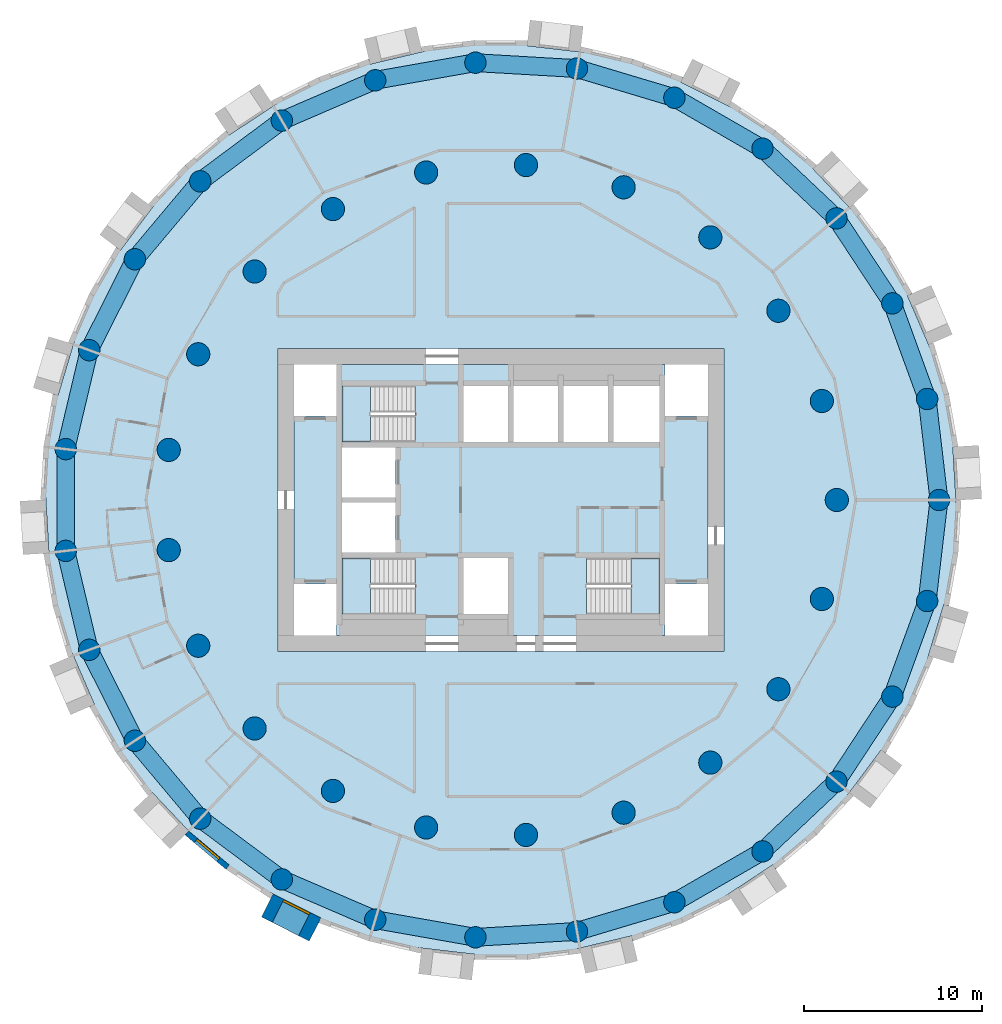
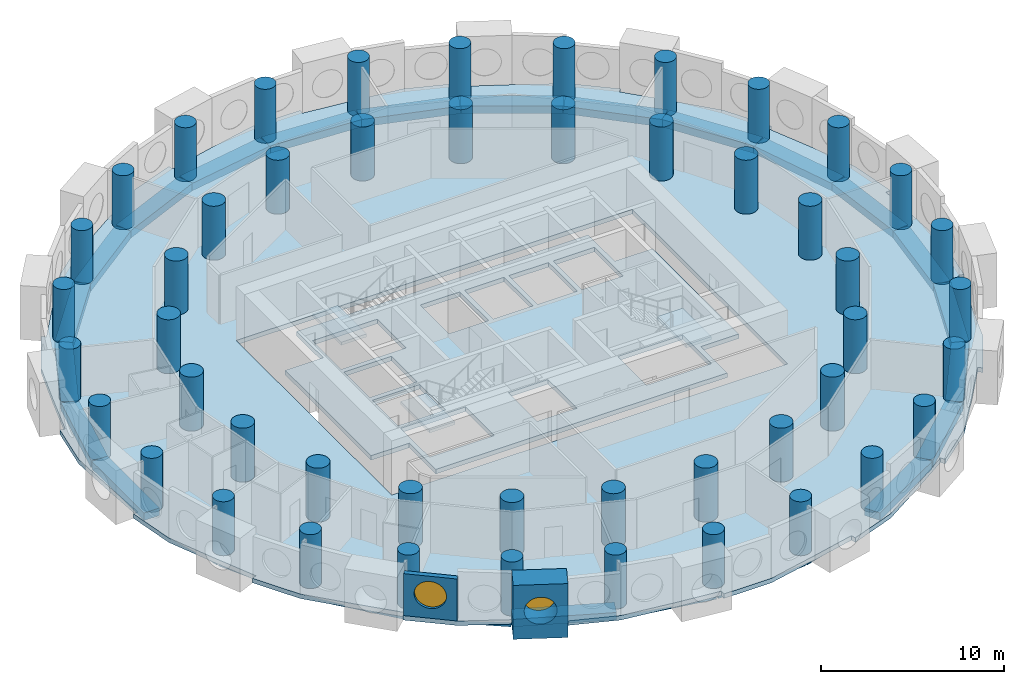
# One storey, part 1 of 9: 48 columns, 27 beams, 5 slabs, 2 walls, 2 windows, 2 openings, 3 elements without a shape of their own.
"""IFC4 building model written with IfcOpenShell, lengths in metres."""

from ifc_helpers import new_model, si_unit, direction, frame, frame_2d, origin, origin_2d, place, context, subcontext, project, spatial, polyline, rectangle, circle, outline, extrude, material, layer, layer_set, material_profile, profile_set, type_object, element, fill, aggregate, save


model = new_model("IFC4")

# Units and contexts
model_context = context("Model", 3, precision=1e-05, world=origin(), true_north=direction((0.0, 1.0)))
body_context = subcontext(model_context, "Body", "Model", "MODEL_VIEW")
ifc_project = project(units=[si_unit("LENGTHUNIT", "METRE"), si_unit("AREAUNIT", "SQUARE_METRE"), si_unit("VOLUMEUNIT", "CUBIC_METRE"), si_unit("PLANEANGLEUNIT", "RADIAN"), si_unit("MASSUNIT", "GRAM", prefix="KILO")], contexts=[model_context])

# Site, building, storey
site_placement = place(None, origin())
site = spatial("IfcSite", under=ifc_project, at=site_placement, CompositionType="ELEMENT")
building_placement = place(site_placement, origin())
building = spatial("IfcBuilding", under=site, at=building_placement, Name="Tracery Tower", CompositionType="ELEMENT")
storey_placement = place(building_placement, frame((0.0, 0.0, 208.800048828125)))
storey = spatial("IfcBuildingStorey", under=building, at=storey_placement, Name="L54", CompositionType="ELEMENT", Elevation=208.800048828125)

# Columns
ifc_material_1 = material(Name="Concrete C50/60", Category="concrete")
ifc_material_profile_1 = material_profile(ifc_material_1, circle(Radius=0.60009765625, at=origin_2d()), Name="RC D1200")
ifc_profile_set_1 = profile_set([ifc_material_profile_1], Name="Concrete C50/60")
column_type_1 = type_object("IfcColumnType", Name="Ring 1 column 1200", PredefinedType="COLUMN", material=ifc_profile_set_1)
for number, where, z_axis, x_axis, name in (
    (1, (24.547607421875, 0.0, 0.0), (0.0, 0.0, 1.0), (1.0, 0.0, 0.0), "Ring 1 column 00 at L54"),
    (2, (23.885986328125, 5.6611328125, 0.0), (0.0, 0.0, 1.0), (1.0, 0.0, 0.0), "Ring 1 column 01 at L54"),
    (3, (21.9365234375, 11.01708984375, 0.0), (0.0, 0.0, 1.0), (1.0, 0.0, 0.0), "Ring 1 column 02 at L54"),
    (4, (18.8046875, 15.779052734375, 0.0), (0.0, 0.0, 1.0), (1.0, 0.0, 0.0), "Ring 1 column 03 at L54"),
    (5, (14.658935546875, 19.690185546875, 0.0), (0.0, 0.0, 1.0), (1.0, 0.0, 0.0), "Ring 1 column 04 at L54"),
    (6, (9.722900390625, 22.5400390625, 0.0), (0.0, 0.0, 1.0), (1.0, 0.0, 0.0), "Ring 1 column 05 at L54"),
    (7, (4.2626953125, 24.1748046875, 0.0), (0.0, 0.0, 1.0), (1.0, 0.0, 0.0), "Ring 1 column 06 at L54"),
    (8, (-1.42724609375, 24.506103515625, 0.0), (0.0, 0.0, 1.0), (1.0, 0.0, 0.0), "Ring 1 column 07 at L54"),
    (9, (-7.040283203125, 23.516357421875, 0.0), (0.0, 0.0, 1.0), (1.0, 0.0, 0.0), "Ring 1 column 08 at L54"),
    (10, (-12.273681640625, 21.2587890625, 0.0), (0.0, 0.0, 1.0), (1.0, 0.0, 0.0), "Ring 1 column 09 at L54"),
    (11, (-16.845703125, 17.855224609375, 0.0), (0.0, 0.0, 1.0), (1.0, 0.0, 0.0), "Ring 1 column 10 at L54"),
    (12, (-20.50927734375, 13.4892578125, 0.0), (0.0, 0.0, 1.0), (1.0, 0.0, 0.0), "Ring 1 column 11 at L54"),
    (13, (-23.0673828125, 8.395751953125, 0.0), (0.0, 0.0, 1.0), (1.0, 0.0, 0.0), "Ring 1 column 12 at L54"),
    (14, (-24.381591796875, 2.849853515625, 0.0), (0.0, 0.0, 1.0), (1.0, 0.0, 0.0), "Ring 1 column 13 at L54"),
    (15, (-24.381591796875, -2.849853515625, 0.0), (0.0, 0.0, 1.0), (1.0, 0.0, 0.0), "Ring 1 column 14 at L54"),
    (16, (-23.0673828125, -8.395751953125, 0.0), (0.0, 0.0, 1.0), (1.0, 0.0, 0.0), "Ring 1 column 15 at L54"),
    (17, (-20.50927734375, -13.4892578125, 0.0), (0.0, 0.0, 1.0), (1.0, 0.0, 0.0), "Ring 1 column 16 at L54"),
    (18, (-16.845703125, -17.85546875, 0.0), (0.0, 0.0, 1.0), (1.0, 0.0, 0.0), "Ring 1 column 17 at L54"),
    (19, (-12.27392578125, -21.2587890625, 0.0), (0.0, 0.0, 1.0), (1.0, 0.0, 0.0), "Ring 1 column 18 at L54"),
    (20, (-7.040283203125, -23.516357421875, 0.0), (0.0, 0.0, 1.0), (1.0, 0.0, 0.0), "Ring 1 column 19 at L54"),
    (21, (-1.42724609375, -24.506103515625, 0.0), (0.0, 0.0, 1.0), (1.0, 0.0, 0.0), "Ring 1 column 20 at L54"),
    (22, (4.2626953125, -24.1748046875, 0.0), (0.0, 0.0, 1.0), (1.0, 0.0, 0.0), "Ring 1 column 21 at L54"),
    (23, (9.722900390625, -22.5400390625, 0.0), (0.0, 0.0, 1.0), (1.0, 0.0, 0.0), "Ring 1 column 22 at L54"),
    (24, (14.658935546875, -19.690185546875, 0.0), (0.0, 0.0, 1.0), (1.0, 0.0, 0.0), "Ring 1 column 23 at L54"),
    (25, (18.8046875, -15.779052734375, 0.0), (0.0, 0.0, 1.0), (1.0, 0.0, 0.0), "Ring 1 column 24 at L54"),
    (26, (21.9365234375, -11.01708984375, 0.0), (0.0, 0.0, 1.0), (1.0, 0.0, 0.0), "Ring 1 column 25 at L54"),
    (27, (23.885986328125, -5.6611328125, 0.0), (0.0, 0.0, 1.0), (1.0, 0.0, 0.0), "Ring 1 column 26 at L54"),
):
    element("IfcColumn", number, at=place(storey_placement, frame(where, z_axis=z_axis, x_axis=x_axis)), inside=storey, type_object=column_type_1, Name=name, PredefinedType="COLUMN", context=body_context, shape_type="SweptSolid", body=[
        extrude(circle(Radius=0.60009765625, at=origin_2d()), origin(), (0.0, 0.0, 1.0), 3.599853515625),
    ])
ifc_material_2 = material(Name="Concrete C50/60", Category="concrete")
ifc_material_profile_2 = material_profile(ifc_material_2, circle(Radius=0.64990234375, at=origin_2d()), Name="RC D1300")
ifc_profile_set_2 = profile_set([ifc_material_profile_2], Name="Concrete C50/60")
column_type_2 = type_object("IfcColumnType", Name="Ring 2 column 1300", PredefinedType="COLUMN", material=ifc_profile_set_2)
for number, where, z_axis, x_axis, name in (
    (28, (18.822265625, 0.0, 0.0), (0.0, 0.0, 1.0), (1.0, 0.0, 0.0), "Ring 2 column 00 at L54"),
    (29, (17.986083984375, 5.5478515625, 0.0), (0.0, 0.0, 1.0), (1.0, 0.0, 0.0), "Ring 2 column 01 at L54"),
    (30, (15.551513671875, 10.602783203125, 0.0), (0.0, 0.0, 1.0), (1.0, 0.0, 0.0), "Ring 2 column 02 at L54"),
    (31, (11.7353515625, 14.7158203125, 0.0), (0.0, 0.0, 1.0), (1.0, 0.0, 0.0), "Ring 2 column 03 at L54"),
    (32, (6.87646484375, 17.52099609375, 0.0), (0.0, 0.0, 1.0), (1.0, 0.0, 0.0), "Ring 2 column 04 at L54"),
    (33, (1.406494140625, 18.76953125, 0.0), (0.0, 0.0, 1.0), (1.0, 0.0, 0.0), "Ring 2 column 05 at L54"),
    (34, (-4.188232421875, 18.350341796875, 0.0), (0.0, 0.0, 1.0), (1.0, 0.0, 0.0), "Ring 2 column 06 at L54"),
    (35, (-9.4111328125, 16.300537109375, 0.0), (0.0, 0.0, 1.0), (1.0, 0.0, 0.0), "Ring 2 column 07 at L54"),
    (36, (-13.797607421875, 12.802490234375, 0.0), (0.0, 0.0, 1.0), (1.0, 0.0, 0.0), "Ring 2 column 08 at L54"),
    (37, (-16.958251953125, 8.16650390625, 0.0), (0.0, 0.0, 1.0), (1.0, 0.0, 0.0), "Ring 2 column 09 at L54"),
    (38, (-18.612060546875, 2.805419921875, 0.0), (0.0, 0.0, 1.0), (1.0, 0.0, 0.0), "Ring 2 column 10 at L54"),
    (39, (-18.612060546875, -2.805419921875, 0.0), (0.0, 0.0, 1.0), (1.0, 0.0, 0.0), "Ring 2 column 11 at L54"),
    (40, (-16.958251953125, -8.166748046875, 0.0), (0.0, 0.0, 1.0), (1.0, 0.0, 0.0), "Ring 2 column 12 at L54"),
    (41, (-13.797607421875, -12.80224609375, 0.0), (0.0, 0.0, 1.0), (1.0, 0.0, 0.0), "Ring 2 column 13 at L54"),
    (42, (-9.4111328125, -16.300537109375, 0.0), (0.0, 0.0, 1.0), (1.0, 0.0, 0.0), "Ring 2 column 14 at L54"),
    (43, (-4.188232421875, -18.350341796875, 0.0), (0.0, 0.0, 1.0), (1.0, 0.0, 0.0), "Ring 2 column 15 at L54"),
    (44, (1.406494140625, -18.76953125, 0.0), (0.0, 0.0, 1.0), (1.0, 0.0, 0.0), "Ring 2 column 16 at L54"),
    (45, (6.87646484375, -17.52099609375, 0.0), (0.0, 0.0, 1.0), (1.0, 0.0, 0.0), "Ring 2 column 17 at L54"),
    (46, (11.7353515625, -14.7158203125, 0.0), (0.0, 0.0, 1.0), (1.0, 0.0, 0.0), "Ring 2 column 18 at L54"),
    (47, (15.551513671875, -10.602783203125, 0.0), (0.0, 0.0, 1.0), (1.0, 0.0, 0.0), "Ring 2 column 19 at L54"),
    (48, (17.986083984375, -5.5478515625, 0.0), (0.0, 0.0, 1.0), (1.0, 0.0, 0.0), "Ring 2 column 20 at L54"),
):
    element("IfcColumn", number, at=place(storey_placement, frame(where, z_axis=z_axis, x_axis=x_axis)), inside=storey, type_object=column_type_2, Name=name, PredefinedType="COLUMN", context=body_context, shape_type="SweptSolid", body=[
        extrude(circle(Radius=0.64990234375, at=origin_2d()), origin(), (0.0, 0.0, 1.0), 3.599853515625),
    ])

# Beams
ifc_material_3 = material(Name="Concrete C50/60", Category="concrete")
ifc_material_profile_3 = material_profile(ifc_material_3, rectangle(XDim=1.0, YDim=0.5, at=origin_2d()), Name="RC 1000x500")
ifc_profile_set_3 = profile_set([ifc_material_profile_3], Name="Concrete C50/60")
beam_type = type_object("IfcBeamType", Name="Perimeter band beam 1000x500", PredefinedType="BEAM", material=ifc_profile_set_3)
for number, where, z_axis, x_axis, name in (
    (49, (24.547607421875, 0.0, -0.550048828125), (-0.116080723252, 0.993239782575, 0.0), (-0.993239782575, -0.116080723252, 0.0), "Perimeter beam 1.00 under L54"),
    (50, (23.885986328125, 5.6611328125, -0.550048828125), (-0.342028502279, 0.939689578334, 0.0), (-0.939689578334, -0.342028502279, 0.0), "Perimeter beam 1.01 under L54"),
):
    element("IfcBeam", number, at=place(storey_placement, frame(where, z_axis=z_axis, x_axis=x_axis)), inside=storey, type_object=beam_type, Name=name, PredefinedType="BEAM", context=body_context, shape_type="SweptSolid", body=[
        extrude(rectangle(XDim=1.0, YDim=0.5, at=origin_2d()), origin(), (0.0, 0.0, 1.0), 5.69970703125),
    ])
for number, where, z_axis, x_axis, name in (
    (51, (21.9365234375, 11.01708984375, -0.550048828125), (-0.549489832182, 0.835500403548, 0.0), (-0.835500403548, -0.549489832182, 0.0), "Perimeter beam 1.02 under L54"),
    (52, (18.8046875, 15.779052734375, -0.550048828125), (-0.727389618263, 0.686224703172, 0.0), (-0.686224703172, -0.727389618263, 0.0), "Perimeter beam 1.03 under L54"),
):
    element("IfcBeam", number, at=place(storey_placement, frame(where, z_axis=z_axis, x_axis=x_axis)), inside=storey, type_object=beam_type, Name=name, PredefinedType="BEAM", context=body_context, shape_type="SweptSolid", body=[
        extrude(rectangle(XDim=1.0, YDim=0.5, at=origin_2d()), origin(), (0.0, 0.0, 1.0), 5.699462890625),
    ])
for number, where, z_axis, x_axis, name in (
    (53, (14.658935546875, 19.690185546875, -0.550048828125), (-0.866022950691, 0.500004248858, 0.0), (-0.500004248858, -0.866022950691, 0.0), "Perimeter beam 1.04 under L54"),
    (54, (9.722900390625, 22.5400390625, -0.550048828125), (-0.957985292634, 0.28681732705, 0.0), (-0.28681732705, -0.957985292634, 0.0), "Perimeter beam 1.05 under L54"),
):
    element("IfcBeam", number, at=place(storey_placement, frame(where, z_axis=z_axis, x_axis=x_axis)), inside=storey, type_object=beam_type, Name=name, PredefinedType="BEAM", context=body_context, shape_type="SweptSolid", body=[
        extrude(rectangle(XDim=1.0, YDim=0.5, at=origin_2d()), origin(), (0.0, 0.0, 1.0), 5.69970703125),
    ])
beam_1_placement = place(storey_placement, frame((4.2626953125, 24.1748046875, -0.550048828125), z_axis=(-0.99830920221, 0.058126902403, 0.0), x_axis=(-0.058126902403, -0.99830920221, 0.0)))
element("IfcBeam", 55, at=beam_1_placement, inside=storey, type_object=beam_type, Name="Perimeter beam 1.06 under L54", PredefinedType="BEAM", context=body_context, shape_type="SweptSolid", body=[
    extrude(rectangle(XDim=1.0, YDim=0.5, at=origin_2d()), origin(), (0.0, 0.0, 1.0), 5.699462890625),
])
beam_2_placement = place(storey_placement, frame((-1.42724609375, 24.506103515625, -0.550048828125), z_axis=(-0.984807266719, -0.173650935552, 0.0), x_axis=(0.173650935552, -0.984807266719, 0.0)))
element("IfcBeam", 56, at=beam_2_placement, inside=storey, type_object=beam_type, Name="Perimeter beam 1.07 under L54", PredefinedType="BEAM", context=body_context, shape_type="SweptSolid", body=[
    extrude(rectangle(XDim=1.0, YDim=0.5, at=origin_2d()), origin(), (0.0, 0.0, 1.0), 5.69970703125),
])
beam_3_placement = place(storey_placement, frame((-7.040283203125, 23.516357421875, -0.550048828125), z_axis=(-0.918209685525, -0.396094652083, 0.0), x_axis=(0.396094652083, -0.918209685525, 0.0)))
element("IfcBeam", 57, at=beam_3_placement, inside=storey, type_object=beam_type, Name="Perimeter beam 1.08 under L54", PredefinedType="BEAM", context=body_context, shape_type="SweptSolid", body=[
    extrude(rectangle(XDim=1.0, YDim=0.5, at=origin_2d()), origin(), (0.0, 0.0, 1.0), 5.699462890625),
])
beam_4_placement = place(storey_placement, frame((-12.273681640625, 21.2587890625, -0.550048828125), z_axis=(-0.802138271299, -0.59713833717, 0.0), x_axis=(0.59713833717, -0.802138271299, 0.0)))
element("IfcBeam", 58, at=beam_4_placement, inside=storey, type_object=beam_type, Name="Perimeter beam 1.09 under L54", PredefinedType="BEAM", context=body_context, shape_type="SweptSolid", body=[
    extrude(rectangle(XDim=1.0, YDim=0.5, at=origin_2d()), origin(), (0.0, 0.0, 1.0), 5.69970703125),
])
beam_5_placement = place(storey_placement, frame((-16.845703125, 17.855224609375, -0.550048828125), z_axis=(-0.642797194343, -0.766036400535, 0.0), x_axis=(0.766036400535, -0.642797194343, 0.0)))
element("IfcBeam", 59, at=beam_5_placement, inside=storey, type_object=beam_type, Name="Perimeter beam 1.10 under L54", PredefinedType="BEAM", context=body_context, shape_type="SweptSolid", body=[
    extrude(rectangle(XDim=1.0, YDim=0.5, at=origin_2d()), origin(), (0.0, 0.0, 1.0), 5.699462890625),
])
beam_6_placement = place(storey_placement, frame((-20.50927734375, 13.4892578125, -0.550048828125), z_axis=(-0.448806280933, -0.893629074166, 0.0), x_axis=(0.893629074166, -0.448806280933, 0.0)))
element("IfcBeam", 60, at=beam_6_placement, inside=storey, type_object=beam_type, Name="Perimeter beam 1.11 under L54", PredefinedType="BEAM", context=body_context, shape_type="SweptSolid", body=[
    extrude(rectangle(XDim=1.0, YDim=0.5, at=origin_2d()), origin(), (0.0, 0.0, 1.0), 5.69970703125),
])
beam_7_placement = place(storey_placement, frame((-23.0673828125, 8.395751953125, -0.550048828125), z_axis=(-0.230583793756, -0.973052472407, 0.0), x_axis=(0.973052472407, -0.230583793756, 0.0)))
element("IfcBeam", 61, at=beam_7_placement, inside=storey, type_object=beam_type, Name="Perimeter beam 1.12 under L54", PredefinedType="BEAM", context=body_context, shape_type="SweptSolid", body=[
    extrude(rectangle(XDim=1.0, YDim=0.5, at=origin_2d()), origin(), (0.0, 0.0, 1.0), 5.699462890625),
])
beam_8_placement = place(storey_placement, frame((-24.381591796875, 2.849853515625, -0.550048828125), z_axis=(0.0, -1.0, 0.0), x_axis=(1.0, 0.0, 0.0)))
element("IfcBeam", 62, at=beam_8_placement, inside=storey, type_object=beam_type, Name="Perimeter beam 1.13 under L54", PredefinedType="BEAM", context=body_context, shape_type="SweptSolid", body=[
    extrude(rectangle(XDim=1.0, YDim=0.5, at=origin_2d()), origin(), (0.0, 0.0, 1.0), 5.69970703125),
])
beam_9_placement = place(storey_placement, frame((-24.381591796875, -2.849853515625, -0.550048828125), z_axis=(0.230583793756, -0.973052472407, 0.0), x_axis=(0.973052472407, 0.230583793756, 0.0)))
element("IfcBeam", 63, at=beam_9_placement, inside=storey, type_object=beam_type, Name="Perimeter beam 1.14 under L54", PredefinedType="BEAM", context=body_context, shape_type="SweptSolid", body=[
    extrude(rectangle(XDim=1.0, YDim=0.5, at=origin_2d()), origin(), (0.0, 0.0, 1.0), 5.699462890625),
])
for number, where, z_axis, x_axis, name in (
    (64, (-23.0673828125, -8.395751953125, -0.550048828125), (0.448806280933, -0.893629074166, 0.0), (0.893629074166, 0.448806280933, 0.0), "Perimeter beam 1.15 under L54"),
    (65, (-20.50927734375, -13.4892578125, -0.550048828125), (0.64277610208, -0.766054099, 0.0), (0.766054099, 0.64277610208, 0.0), "Perimeter beam 1.16 under L54"),
):
    element("IfcBeam", number, at=place(storey_placement, frame(where, z_axis=z_axis, x_axis=x_axis)), inside=storey, type_object=beam_type, Name=name, PredefinedType="BEAM", context=body_context, shape_type="SweptSolid", body=[
        extrude(rectangle(XDim=1.0, YDim=0.5, at=origin_2d()), origin(), (0.0, 0.0, 1.0), 5.69970703125),
    ])
beam_10_placement = place(storey_placement, frame((-16.845703125, -17.85546875, -0.550048828125), z_axis=(0.802143514942, -0.597131293298, 0.0), x_axis=(0.597131293298, 0.802143514942, 0.0)))
element("IfcBeam", 66, at=beam_10_placement, inside=storey, type_object=beam_type, Name="Perimeter beam 1.17 under L54", PredefinedType="BEAM", context=body_context, shape_type="SweptSolid", body=[
    extrude(rectangle(XDim=1.0, YDim=0.5, at=origin_2d()), origin(), (0.0, 0.0, 1.0), 5.699462890625),
])
for number, where, z_axis, x_axis, name in (
    (67, (-12.27392578125, -21.2587890625, -0.550048828125), (0.918216405543, -0.39607907366, 0.0), (0.39607907366, 0.918216405543, 0.0), "Perimeter beam 1.18 under L54"),
    (68, (-7.040283203125, -23.516357421875, -0.550048828125), (0.984807266719, -0.173650935552, 0.0), (0.173650935552, 0.984807266719, 0.0), "Perimeter beam 1.19 under L54"),
):
    element("IfcBeam", number, at=place(storey_placement, frame(where, z_axis=z_axis, x_axis=x_axis)), inside=storey, type_object=beam_type, Name=name, PredefinedType="BEAM", context=body_context, shape_type="SweptSolid", body=[
        extrude(rectangle(XDim=1.0, YDim=0.5, at=origin_2d()), origin(), (0.0, 0.0, 1.0), 5.69970703125),
    ])
beam_11_placement = place(storey_placement, frame((-1.42724609375, -24.506103515625, -0.550048828125), z_axis=(0.99830920221, 0.058126902403, 0.0), x_axis=(-0.058126902403, 0.99830920221, 0.0)))
element("IfcBeam", 69, at=beam_11_placement, inside=storey, type_object=beam_type, Name="Perimeter beam 1.20 under L54", PredefinedType="BEAM", context=body_context, shape_type="SweptSolid", body=[
    extrude(rectangle(XDim=1.0, YDim=0.5, at=origin_2d()), origin(), (0.0, 0.0, 1.0), 5.699462890625),
])
for number, where, z_axis, x_axis, name in (
    (70, (4.2626953125, -24.1748046875, -0.550048828125), (0.957985292634, 0.28681732705, 0.0), (-0.28681732705, 0.957985292634, 0.0), "Perimeter beam 1.21 under L54"),
    (71, (9.722900390625, -22.5400390625, -0.550048828125), (0.866022950691, 0.500004248858, 0.0), (-0.500004248858, 0.866022950691, 0.0), "Perimeter beam 1.22 under L54"),
):
    element("IfcBeam", number, at=place(storey_placement, frame(where, z_axis=z_axis, x_axis=x_axis)), inside=storey, type_object=beam_type, Name=name, PredefinedType="BEAM", context=body_context, shape_type="SweptSolid", body=[
        extrude(rectangle(XDim=1.0, YDim=0.5, at=origin_2d()), origin(), (0.0, 0.0, 1.0), 5.69970703125),
    ])
for number, where, z_axis, x_axis, name in (
    (72, (14.658935546875, -19.690185546875, -0.550048828125), (0.727389618263, 0.686224703172, 0.0), (-0.686224703172, 0.727389618263, 0.0), "Perimeter beam 1.23 under L54"),
    (73, (18.8046875, -15.779052734375, -0.550048828125), (0.549489832182, 0.835500403548, 0.0), (-0.835500403548, 0.549489832182, 0.0), "Perimeter beam 1.24 under L54"),
):
    element("IfcBeam", number, at=place(storey_placement, frame(where, z_axis=z_axis, x_axis=x_axis)), inside=storey, type_object=beam_type, Name=name, PredefinedType="BEAM", context=body_context, shape_type="SweptSolid", body=[
        extrude(rectangle(XDim=1.0, YDim=0.5, at=origin_2d()), origin(), (0.0, 0.0, 1.0), 5.699462890625),
    ])
for number, where, z_axis, x_axis, name in (
    (74, (21.9365234375, -11.01708984375, -0.550048828125), (0.342028502279, 0.939689578334, 0.0), (-0.939689578334, 0.342028502279, 0.0), "Perimeter beam 1.25 under L54"),
    (75, (23.885986328125, -5.6611328125, -0.550048828125), (0.116080723252, 0.993239782575, 0.0), (-0.993239782575, 0.116080723252, 0.0), "Perimeter beam 1.26 under L54"),
):
    element("IfcBeam", number, at=place(storey_placement, frame(where, z_axis=z_axis, x_axis=x_axis)), inside=storey, type_object=beam_type, Name=name, PredefinedType="BEAM", context=body_context, shape_type="SweptSolid", body=[
        extrude(rectangle(XDim=1.0, YDim=0.5, at=origin_2d()), origin(), (0.0, 0.0, 1.0), 5.69970703125),
    ])

# Slabs
ifc_material_4 = material(Name="Concrete C50/60", Category="concrete")
ifc_layer_1 = layer(ifc_material_4, 0.300048828125)
ifc_layer_set_1 = layer_set([ifc_layer_1], Name="Core floor slab 300 C50")
slab_type_1 = type_object("IfcSlabType", Name="Core floor slab 300 C50", PredefinedType="FLOOR", material=ifc_layer_set_1)
slab_1_placement = place(storey_placement, frame((0.0, 0.0, -0.300048828125)))
element("IfcSlab", 76, at=slab_1_placement, inside=storey, type_object=slab_type_1, Name="L54 core floor 1", PredefinedType="FLOOR", context=body_context, shape_type="SweptSolid", body=[
    extrude(outline(polyline([(-9.199951171875, 7.60009765625), (9.199951171875, 7.60009765625), (9.199951171875, 4.699951171875), (11.60009765625, 4.699951171875), (11.60009765625, -4.699951171875), (9.199951171875, -4.699951171875), (9.199951171875, -7.60009765625), (-9.199951171875, -7.60009765625), (-9.199951171875, -4.699951171875), (-11.60009765625, -4.699951171875), (-11.60009765625, 4.699951171875), (-9.199951171875, 4.699951171875), (-9.199951171875, 7.60009765625)]), holes=[polyline([(4.800537109375, -6.39990234375), (8.89990234375, -6.39990234375), (8.89990234375, -3.25), (4.800537109375, -3.25), (4.800537109375, -6.39990234375)]), polyline([(8.89990234375, 3.25), (8.89990234375, 6.39990234375), (6.300048828125, 6.39990234375), (6.300048828125, 3.25), (8.89990234375, 3.25)]), polyline([(6.0, 3.25), (6.0, 6.39990234375), (3.5, 6.39990234375), (3.5, 3.25), (6.0, 3.25)]), polyline([(3.199951171875, 3.25), (3.199951171875, 6.39990234375), (0.699951171875, 6.39990234375), (0.699951171875, 3.25), (3.199951171875, 3.25)]), polyline([(-2.10009765625, 3.25), (0.39990234375, 3.25), (0.39990234375, 6.39990234375), (-2.10009765625, 6.39990234375), (-2.10009765625, 3.25)]), polyline([(0.39990234375, -6.39990234375), (0.39990234375, -3.25), (-2.10009765625, -3.25), (-2.10009765625, -6.39990234375), (0.39990234375, -6.39990234375)]), polyline([(-4.800537109375, -3.25), (-8.89990234375, -3.25), (-8.89990234375, -6.39990234375), (-4.800537109375, -6.39990234375), (-4.800537109375, -3.25)]), polyline([(-4.800537109375, 6.39990234375), (-8.89990234375, 6.39990234375), (-8.89990234375, 3.25), (-4.800537109375, 3.25), (-4.800537109375, 6.39990234375)]), polyline([(-5.89990234375, -2.949951171875), (-5.89990234375, -0.14990234375), (-8.89990234375, -0.14990234375), (-8.89990234375, -2.949951171875), (-5.89990234375, -2.949951171875)]), polyline([(-5.89990234375, 0.14990234375), (-5.89990234375, 2.949951171875), (-8.89990234375, 2.949951171875), (-8.89990234375, 0.14990234375), (-5.89990234375, 0.14990234375)])]), origin(), (0.0, 0.0, 1.0), 0.300048828125),
])
ifc_material_5 = material(Name="Concrete C40/50", Category="concrete")
ifc_layer_2 = layer(ifc_material_5, 0.300048828125)
ifc_layer_set_2 = layer_set([ifc_layer_2], Name="Floor slab 300")
slab_type_2 = type_object("IfcSlabType", Name="Floor slab 300", PredefinedType="FLOOR", material=ifc_layer_set_2)
slab_2_placement = place(storey_placement, frame((0.0, 0.0, -0.300048828125)))
element("IfcSlab", 77, at=slab_2_placement, inside=storey, type_object=slab_type_2, Name="Floor slab L54", PredefinedType="FLOOR", context=body_context, shape_type="SweptSolid", body=[
    extrude(outline(polyline([(22.78515625, 11.443115234375), (22.7783203125, 11.459228515625), (23.0537109375, 11.577880859375), (21.5537109375, 14.176025390625), (19.533203125, 16.387939453125), (18.208740234375, 17.791748046875), (17.497314453125, 18.5458984375), (17.497314453125, 18.5458984375), (17.485107421875, 18.55859375), (17.70361328125, 18.7646484375), (15.4052734375, 20.69287109375), (12.74853515625, 22.081298828125), (10.098876953125, 23.411865234375), (10.098876953125, 23.411865234375), (10.083251953125, 23.419921875), (10.217529296875, 23.68701171875), (10.218017578125, 23.68798828125), (7.39892578125, 24.7138671875), (4.427490234375, 25.10986328125), (3.055908203125, 25.27001953125), (1.465087890625, 25.4560546875), (1.5, 25.75390625), (1.5, 25.754150390625), (-1.5, 25.754150390625), (-4.427490234375, 25.10986328125), (-7.312744140625, 24.426025390625), (-7.312744140625, 24.426025390625), (-7.32958984375, 24.422119140625), (-7.398681640625, 24.713134765625), (-7.39892578125, 24.7138671875), (-10.218017578125, 23.68798828125), (-12.74853515625, 22.081298828125), (-13.4443359375, 21.623779296875), (-15.240478515625, 20.4423828125), (-15.4052734375, 20.69287109375), (-15.4052734375, 20.69287109375), (-17.70361328125, 18.7646484375), (-19.531005859375, 16.390625), (-20.657958984375, 14.876953125), (-21.302490234375, 14.010986328125), (-21.302490234375, 14.010986328125), (-21.31298828125, 13.996826171875), (-21.5537109375, 14.176025390625), (-23.0537109375, 11.577880859375), (-23.95947265625, 8.720703125), (-24.694580078125, 6.265380859375), (-24.81494140625, 5.86328125), (-25.102294921875, 5.949462890625), (-25.623291015625, 2.994873046875), (-25.497314453125, 0.00048828125), (-25.32373046875, -2.9775390625), (-25.623291015625, -2.994873046875), (-25.102294921875, -5.949462890625), (-23.95947265625, -8.720703125), (-22.78515625, -11.443115234375), (-22.78515625, -11.443115234375), (-22.7783203125, -11.459228515625), (-23.0537109375, -11.577880859375), (-21.5537109375, -14.176025390625), (-19.533203125, -16.387939453125), (-18.208740234375, -17.791748046875), (-17.497314453125, -18.5458984375), (-17.497314453125, -18.5458984375), (-17.485107421875, -18.55859375), (-17.70361328125, -18.7646484375), (-15.4052734375, -20.69287109375), (-12.74853515625, -22.081298828125), (-10.098876953125, -23.411865234375), (-10.098876953125, -23.411865234375), (-10.083251953125, -23.419921875), (-10.217529296875, -23.68701171875), (-10.218017578125, -23.68798828125), (-7.39892578125, -24.7138671875), (-4.427490234375, -25.10986328125), (-3.055908203125, -25.27001953125), (-1.465087890625, -25.4560546875), (-1.5, -25.75390625), (-1.5, -25.754150390625), (1.5, -25.754150390625), (4.427490234375, -25.10986328125), (7.312744140625, -24.426025390625), (7.312744140625, -24.426025390625), (7.32958984375, -24.422119140625), (7.398681640625, -24.713134765625), (7.39892578125, -24.7138671875), (10.218017578125, -23.68798828125), (12.74853515625, -22.081298828125), (13.4443359375, -21.623779296875), (15.240478515625, -20.4423828125), (15.4052734375, -20.69287109375), (15.4052734375, -20.69287109375), (17.70361328125, -18.7646484375), (19.531005859375, -16.390625), (20.657958984375, -14.876953125), (21.302490234375, -14.010986328125), (21.302490234375, -14.010986328125), (21.31298828125, -13.996826171875), (21.5537109375, -14.176025390625), (23.0537109375, -11.577880859375), (23.95947265625, -8.720703125), (24.694580078125, -6.265380859375), (24.81494140625, -5.86328125), (25.102294921875, -5.949462890625), (25.623291015625, -2.994873046875), (25.497314453125, -0.00048828125), (25.32373046875, 2.9775390625), (25.623291015625, 2.994873046875), (25.102294921875, 5.949462890625), (23.95947265625, 8.720703125), (22.78515625, 11.443115234375), (22.78515625, 11.443115234375)]), holes=[polyline([(-12.5, -8.5), (12.5, -8.5), (12.5, 8.5), (-12.5, 8.5), (-12.5, -8.5)])]), origin(), (0.0, 0.0, 1.0), 0.300048828125),
])

# Stair, slab
ifc_material_6 = material(Name="Concrete C32/40", Category="concrete")
stair_type = type_object("IfcStairType", Name="Core stair 22 risers", PredefinedType="HALF_TURN_STAIR", material=ifc_material_6)
stair_1_placement = place(storey_placement, origin())
stair_1 = element("IfcStair", 78, at=stair_1_placement, inside=storey, type_object=stair_type, Name="L54 stair ST1", PredefinedType="HALF_TURN_STAIR")
ifc_material_7 = material(Name="Concrete C32/40", Category="concrete")
ifc_layer_3 = layer(ifc_material_7, 0.199951171875)
ifc_layer_set_3 = layer_set([ifc_layer_3], Name="Stair landing slab 200")
slab_type_3 = type_object("IfcSlabType", Name="Stair landing slab 200", PredefinedType="LANDING", material=ifc_layer_set_3)
slab_3_placement = place(storey_placement, frame((0.0, 0.0, 1.599853515625)))
slab_3 = element("IfcSlab", 79, at=slab_3_placement, type_object=slab_type_3, Name="ST1 landing 1", PredefinedType="LANDING", context=body_context, shape_type="SweptSolid", body=[
    extrude(outline(polyline([(-7.29931640625, -3.25), (-8.89990234375, -3.25), (-8.89990234375, -6.39990234375), (-7.29931640625, -6.39990234375), (-7.29931640625, -3.25)])), origin(), (0.0, 0.0, 1.0), 0.2001953125),
])
aggregate(stair_1, [slab_3])

stair_2_placement = place(storey_placement, origin())
stair_2 = element("IfcStair", 80, at=stair_2_placement, inside=storey, type_object=stair_type, Name="L54 stair ST3", PredefinedType="HALF_TURN_STAIR")
slab_4_placement = place(storey_placement, frame((0.0, 0.0, 1.599853515625)))
slab_4 = element("IfcSlab", 81, at=slab_4_placement, type_object=slab_type_3, Name="ST3 landing 1", PredefinedType="LANDING", context=body_context, shape_type="SweptSolid", body=[
    extrude(outline(polyline([(-7.29931640625, 6.39990234375), (-8.89990234375, 6.39990234375), (-8.89990234375, 3.25), (-7.29931640625, 3.25), (-7.29931640625, 6.39990234375)])), origin(), (0.0, 0.0, 1.0), 0.2001953125),
])
aggregate(stair_2, [slab_4])

stair_3_placement = place(storey_placement, origin())
stair_3 = element("IfcStair", 82, at=stair_3_placement, inside=storey, type_object=stair_type, Name="L54 stair ST2", PredefinedType="HALF_TURN_STAIR")
slab_5_placement = place(storey_placement, frame((0.0, 0.0, 1.599853515625)))
slab_5 = element("IfcSlab", 83, at=slab_5_placement, type_object=slab_type_3, Name="ST2 landing 1", PredefinedType="LANDING", context=body_context, shape_type="SweptSolid", body=[
    extrude(outline(polyline([(7.29931640625, -6.39990234375), (8.89990234375, -6.39990234375), (8.89990234375, -3.25), (7.29931640625, -3.25), (7.29931640625, -6.39990234375)])), origin(), (0.0, 0.0, 1.0), 0.2001953125),
])
aggregate(stair_3, [slab_5])

# Wall, opening, window
ifc_material_8 = material(Name="Precast concrete C50/60", Category="concrete")
ifc_layer_4 = layer(ifc_material_8, 1.449951171875)
ifc_layer_set_4 = layer_set([ifc_layer_4], Name="Deep-set bay unit 3000 x 3600, slab edge 300")
wall_type_1 = type_object("IfcWallType", Name="Deep-set bay unit 3000 x 3600, slab edge 300", PredefinedType="ELEMENTEDWALL", material=ifc_layer_set_4)
wall_1_placement = place(storey_placement, frame((-13.089599609375, -22.72119140625, -0.300048828125), z_axis=(0.0, 0.0, 1.0), x_axis=(0.893628249713, -0.448807922518, 0.0)))
wall_1 = element("IfcWall", 84, at=wall_1_placement, inside=storey, type_object=wall_type_1, Name="Deep-set bay unit 37 at L54", PredefinedType="ELEMENTEDWALL", context=body_context, shape_type="SweptSolid", body=[
    extrude(rectangle(XDim=3.0, YDim=1.449951171875, at=frame_2d((1.5, 0.0))), origin(), (0.0, 0.0, 1.0), 3.60009765625),
])
opening_1_placement = place(wall_1_placement, frame((1.5, 0.0, 1.85009765625)))
opening_1 = element("IfcOpeningElement", 85, at=opening_1_placement, cuts=wall_1, Name="Opening WN1", PredefinedType="OPENING", context=body_context, shape_type="SweptSolid", body=[
    extrude(circle(Radius=0.9000244140625, at=origin_2d()), frame((0.0, 0.73486328125, 0.0), z_axis=(0.0, -1.0, 0.0), x_axis=(1.0, 0.0, 0.0)), (0.0, 0.0, 1.0), 1.469970703125),
])
ifc_material_9 = material(Name="Aluminium frame with tinted double glazing", Category="aluminium")
window_type = type_object("IfcWindowType", Name="Round window 1800", PartitioningType="SINGLE_PANEL", PredefinedType="WINDOW", material=ifc_material_9)
window_1_placement = place(opening_1_placement, origin())
window_1 = element("IfcWindow", 86, at=window_1_placement, inside=storey, type_object=window_type, Name="Round window 37 at L54", OverallHeight=1.800048828125, OverallWidth=1.800048828125, PartitioningType="SINGLE_PANEL", PredefinedType="WINDOW", context=body_context, shape_type="SweptSolid", body=[
    extrude(circle(Radius=0.9000244140625, at=origin_2d()), frame((0.0, 0.69482421875, 0.0), z_axis=(0.0, -1.0, 0.0), x_axis=(1.0, 0.0, 0.0)), (0.0, 0.0, 1.0), 0.10009765625),
])
fill(opening_1, window_1)

ifc_material_10 = material(Name="Precast concrete C50/60", Category="concrete")
ifc_layer_5 = layer(ifc_material_10, 0.300048828125)
ifc_layer_set_5 = layer_set([ifc_layer_5], Name="Facade panel 3000 x 2800")
wall_type_2 = type_object("IfcWallType", Name="Facade panel 3000 x 2800", PredefinedType="SOLIDWALL", material=ifc_layer_set_5)
wall_2_placement = place(storey_placement, frame((-17.593017578125, -18.661376953125, 0.0), z_axis=(0.0, 0.0, 1.0), x_axis=(0.766008913364, -0.642829950023, 0.0)))
wall_2 = element("IfcWall", 87, at=wall_2_placement, inside=storey, type_object=wall_type_2, Name="Facade panel 35 at L54", PredefinedType="SOLIDWALL", context=body_context, shape_type="SweptSolid", body=[
    extrude(rectangle(XDim=2.972900390625, YDim=0.300048828125, at=frame_2d((1.486328125, 0.0))), origin(), (0.0, 0.0, 1.0), 2.800048828125),
])
opening_2_placement = place(wall_2_placement, frame((1.486328125, 0.0, 1.5498046875)))
opening_2 = element("IfcOpeningElement", 88, at=opening_2_placement, cuts=wall_2, Name="Opening WN1", PredefinedType="OPENING", context=body_context, shape_type="SweptSolid", body=[
    extrude(circle(Radius=0.9000244140625, at=origin_2d()), frame((0.0, 0.159912109375, 0.0), z_axis=(0.0, -1.0, 0.0), x_axis=(1.0, 0.0, 0.0)), (0.0, 0.0, 1.0), 0.320068359375),
])
window_2_placement = place(opening_2_placement, origin())
window_2 = element("IfcWindow", 89, at=window_2_placement, inside=storey, type_object=window_type, Name="Round window 35 at L54", OverallHeight=1.800048828125, OverallWidth=1.800048828125, PartitioningType="SINGLE_PANEL", PredefinedType="WINDOW", context=body_context, shape_type="SweptSolid", body=[
    extrude(circle(Radius=0.9000244140625, at=origin_2d()), frame((0.0, 0.1201171875, 0.0), z_axis=(0.0, -1.0, 0.0), x_axis=(1.0, 0.0, 0.0)), (0.0, 0.0, 1.0), 0.10009765625),
])
fill(opening_2, window_2)

save(model, "model.ifc")
